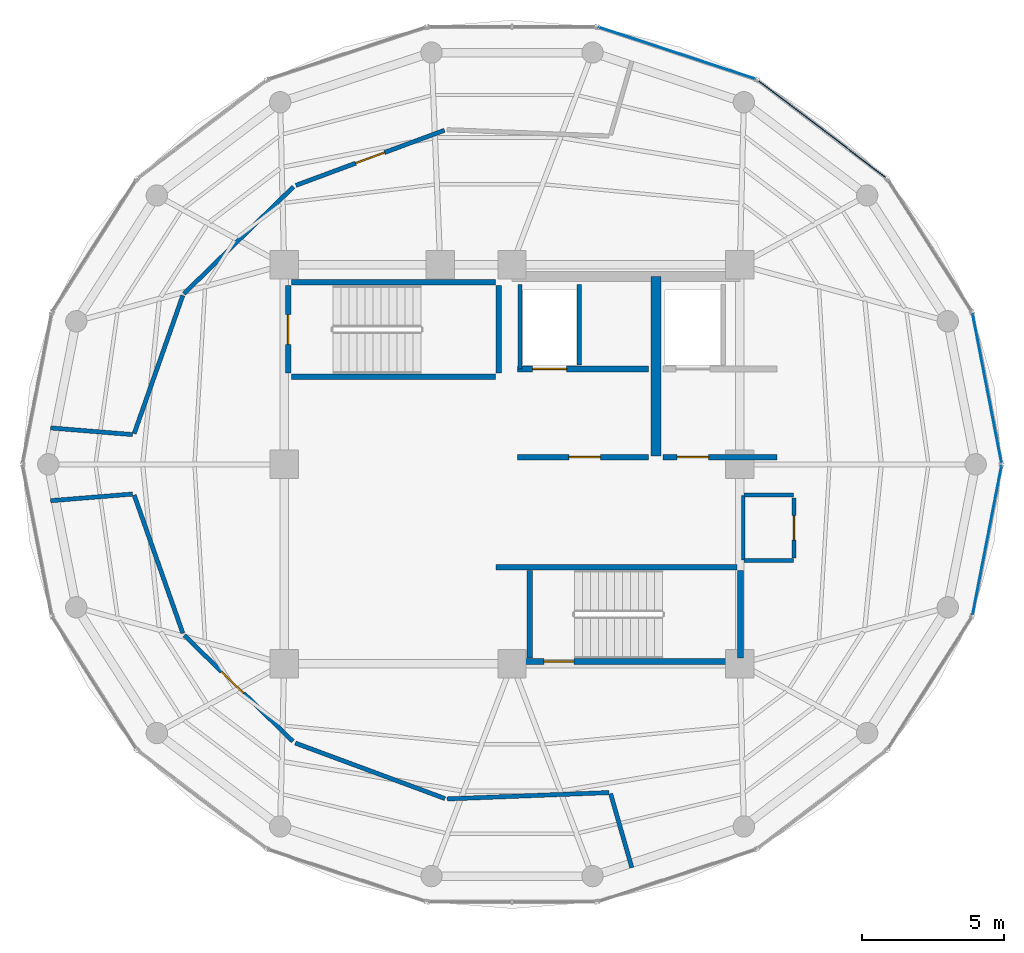
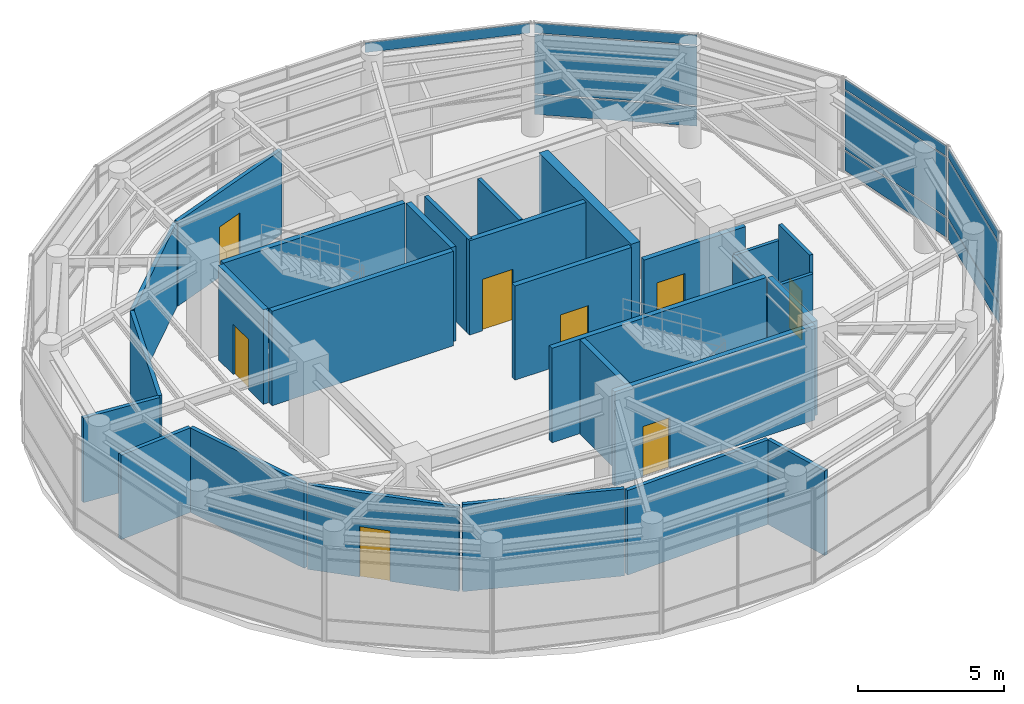
# One storey, part 17 of 19: 28 walls, 10 plates, 8 doors, 8 openings, 4 elements without a shape of their own.
"""IFC4 building model written with IfcOpenShell, lengths in metres."""

from ifc_helpers import new_model, si_unit, direction, frame, frame_2d, origin, origin_2d, place, context, subcontext, project, spatial, rectangle, extrude, source, transform, mapped, material, layer, layer_set, type_object, element, fill, aggregate, save


model = new_model("IFC4")

# Units and contexts
model_context = context("Model", 3, precision=1e-05, world=origin(), true_north=direction((0.0, 1.0)))
body_context = subcontext(model_context, "Body", "Model", "MODEL_VIEW")
ifc_project = project(units=[si_unit("LENGTHUNIT", "METRE"), si_unit("AREAUNIT", "SQUARE_METRE"), si_unit("VOLUMEUNIT", "CUBIC_METRE"), si_unit("PLANEANGLEUNIT", "RADIAN"), si_unit("MASSUNIT", "GRAM", prefix="KILO")], contexts=[model_context])

# Site, building, storey
site_placement = place(None, origin())
site = spatial("IfcSite", under=ifc_project, at=site_placement, CompositionType="ELEMENT")
building_placement = place(site_placement, origin())
building = spatial("IfcBuilding", under=site, at=building_placement, Name="Kelanora Arch Commons", CompositionType="ELEMENT")
storey_placement = place(building_placement, frame((0.0, 0.0, 302.699951171875)))
storey = spatial("IfcBuildingStorey", under=building, at=storey_placement, Name="L77", CompositionType="ELEMENT", Elevation=302.699951171875)

# Curtain wall, plate
ifc_material_1 = material(Name="Terracotta ceramic-fritted low-E glass and aluminium", Category="masonry")
ifc_layer_1 = layer(ifc_material_1, 0.14990234375)
ifc_layer_set_1 = layer_set([ifc_layer_1], Name="Terracotta ceramic-fritted low-E glass and aluminium")
curtain_wall_type = type_object("IfcCurtainWallType", Name="CW-SYS-06", PredefinedType="NOTDEFINED", material=ifc_layer_set_1)
curtain_wall_1_placement = place(storey_placement, origin())
curtain_wall_1 = element("IfcCurtainWall", 1, at=curtain_wall_1_placement, inside=storey, type_object=curtain_wall_type, Name="Unitised Curtain Wall L77-B00", PredefinedType="NOTDEFINED")
ifc_material_2 = material(Name="Terracotta ceramic-fritted double glazing", Category="masonry")
ifc_layer_2 = layer(ifc_material_2, 0.028076171875)
ifc_layer_set_2 = layer_set([ifc_layer_2], Name="Terracotta ceramic-fritted double glazing")
plate_type = type_object("IfcPlateType", Name="CWP-FRIT", PredefinedType="CURTAIN_PANEL", material=ifc_layer_set_2)
shared_shape_1 = source(origin(), body_context, "Body", "SweptSolid", [
    extrude(rectangle(XDim=5.285400390625, YDim=0.028076171875, at=origin_2d()), origin(), (0.0, 0.0, 1.0), 0.81005859375),
])
plate_1_placement = place(storey_placement, frame((90.681396484375, 60.667724609375, 0.06005859375), z_axis=(0.0, 0.0, 1.0), x_axis=(-0.190826579571, 0.981623765263, 0.0)))
plate_1 = element("IfcPlate", 2, at=plate_1_placement, type_object=plate_type, Name="CW-06 panel 1.1", PredefinedType="CURTAIN_PANEL", context=body_context, shape_type="MappedRepresentation", body=[
    mapped(shared_shape_1, transform((0.0, 0.0, 0.0), scale=1.0)),
])

curtain_wall_2_placement = place(storey_placement, origin())
curtain_wall_2 = element("IfcCurtainWall", 3, at=curtain_wall_2_placement, inside=storey, type_object=curtain_wall_type, Name="Unitised Curtain Wall L77-B17", PredefinedType="NOTDEFINED")
plate_2_placement = place(storey_placement, frame((90.681396484375, 55.332275390625, 0.06005859375), z_axis=(0.0, 0.0, 1.0), x_axis=(0.190826579571, 0.981623765263, 0.0)))
plate_2 = element("IfcPlate", 4, at=plate_2_placement, type_object=plate_type, Name="CW-06 panel 1.1", PredefinedType="CURTAIN_PANEL", context=body_context, shape_type="MappedRepresentation", body=[
    mapped(shared_shape_1, transform((0.0, 0.0, 0.0), scale=1.0)),
])

# Plate
shared_shape_2 = source(origin(), body_context, "Body", "SweptSolid", [
    extrude(rectangle(XDim=5.285400390625, YDim=0.028076171875, at=origin_2d()), origin(), (0.0, 0.0, 1.0), 2.465087890625),
])
plate_3_placement = place(storey_placement, frame((90.681396484375, 60.667724609375, 0.93017578125), z_axis=(0.0, 0.0, 1.0), x_axis=(-0.190826579571, 0.981623765263, 0.0)))
plate_3 = element("IfcPlate", 5, at=plate_3_placement, type_object=plate_type, Name="CW-06 panel 1.2", PredefinedType="CURTAIN_PANEL", context=body_context, shape_type="MappedRepresentation", body=[
    mapped(shared_shape_2, transform((0.0, 0.0, 0.0), scale=1.0)),
])

plate_4_placement = place(storey_placement, frame((90.681396484375, 55.332275390625, 0.93017578125), z_axis=(0.0, 0.0, 1.0), x_axis=(0.190826579571, 0.981623765263, 0.0)))
plate_4 = element("IfcPlate", 6, at=plate_4_placement, type_object=plate_type, Name="CW-06 panel 1.2", PredefinedType="CURTAIN_PANEL", context=body_context, shape_type="MappedRepresentation", body=[
    mapped(shared_shape_2, transform((0.0, 0.0, 0.0), scale=1.0)),
])

shared_shape_3 = source(origin(), body_context, "Body", "SweptSolid", [
    extrude(rectangle(XDim=5.285400390625, YDim=0.028076171875, at=origin_2d()), origin(), (0.0, 0.0, 1.0), 0.409912109375),
])
plate_5_placement = place(storey_placement, frame((90.681396484375, 60.667724609375, 3.455078125), z_axis=(0.0, 0.0, 1.0), x_axis=(-0.190826579571, 0.981623765263, 0.0)))
plate_5 = element("IfcPlate", 7, at=plate_5_placement, type_object=plate_type, Name="CW-06 panel 1.3", PredefinedType="CURTAIN_PANEL", context=body_context, shape_type="MappedRepresentation", body=[
    mapped(shared_shape_3, transform((0.0, 0.0, 0.0), scale=1.0)),
])

aggregate(curtain_wall_1, [plate_1, plate_3, plate_5])

plate_6_placement = place(storey_placement, frame((90.681396484375, 55.332275390625, 3.455078125), z_axis=(0.0, 0.0, 1.0), x_axis=(0.190826579571, 0.981623765263, 0.0)))
plate_6 = element("IfcPlate", 8, at=plate_6_placement, type_object=plate_type, Name="CW-06 panel 1.3", PredefinedType="CURTAIN_PANEL", context=body_context, shape_type="MappedRepresentation", body=[
    mapped(shared_shape_3, transform((0.0, 0.0, 0.0), scale=1.0)),
])

aggregate(curtain_wall_2, [plate_2, plate_4, plate_6])

# Curtain wall, plate
curtain_wall_3_placement = place(storey_placement, origin())
curtain_wall_3 = element("IfcCurtainWall", 9, at=curtain_wall_3_placement, inside=storey, type_object=curtain_wall_type, Name="Unitised Curtain Wall L77-B03", PredefinedType="NOTDEFINED")
shared_shape_4 = source(origin(), body_context, "Body", "SweptSolid", [
    extrude(rectangle(XDim=5.76123046875, YDim=0.028076171875, at=origin_2d()), origin(), (0.0, 0.0, 1.0), 0.409912109375),
])
plate_7_placement = place(storey_placement, frame((79.79345703125, 72.4365234375, 3.455078125), z_axis=(0.0, 0.0, 1.0), x_axis=(-0.949599145368, 0.313466845323, 0.0)))
plate_7 = element("IfcPlate", 10, at=plate_7_placement, type_object=plate_type, Name="CW-06 panel 1.3", PredefinedType="CURTAIN_PANEL", context=body_context, shape_type="MappedRepresentation", body=[
    mapped(shared_shape_4, transform((0.0, 0.0, 0.0), scale=1.0)),
])
aggregate(curtain_wall_3, [plate_7])

# Curtain wall, plates
curtain_wall_4_placement = place(storey_placement, origin())
curtain_wall_4 = element("IfcCurtainWall", 11, at=curtain_wall_4_placement, inside=storey, type_object=curtain_wall_type, Name="Unitised Curtain Wall L77-B02", PredefinedType="NOTDEFINED")
shared_shape_5 = source(origin(), body_context, "Body", "SweptSolid", [
    extrude(rectangle(XDim=5.6005859375, YDim=0.028076171875, at=origin_2d()), origin(), (0.0, 0.0, 1.0), 0.81005859375),
])
plate_8_placement = place(storey_placement, frame((84.887939453125, 69.768798828125, 0.06005859375), z_axis=(0.0, 0.0, 1.0), x_axis=(-0.795772286688, 0.605595960801, 0.0)))
plate_8 = element("IfcPlate", 12, at=plate_8_placement, type_object=plate_type, Name="CW-06 panel 1.1", PredefinedType="CURTAIN_PANEL", context=body_context, shape_type="MappedRepresentation", body=[
    mapped(shared_shape_5, transform((0.0, 0.0, 0.0), scale=1.0)),
])
shared_shape_6 = source(origin(), body_context, "Body", "SweptSolid", [
    extrude(rectangle(XDim=5.6005859375, YDim=0.028076171875, at=origin_2d()), origin(), (0.0, 0.0, 1.0), 2.465087890625),
])
plate_9_placement = place(storey_placement, frame((84.887939453125, 69.768798828125, 0.93017578125), z_axis=(0.0, 0.0, 1.0), x_axis=(-0.795772286688, 0.605595960801, 0.0)))
plate_9 = element("IfcPlate", 13, at=plate_9_placement, type_object=plate_type, Name="CW-06 panel 1.2", PredefinedType="CURTAIN_PANEL", context=body_context, shape_type="MappedRepresentation", body=[
    mapped(shared_shape_6, transform((0.0, 0.0, 0.0), scale=1.0)),
])
shared_shape_7 = source(origin(), body_context, "Body", "SweptSolid", [
    extrude(rectangle(XDim=5.6005859375, YDim=0.028076171875, at=origin_2d()), origin(), (0.0, 0.0, 1.0), 0.409912109375),
])
plate_10_placement = place(storey_placement, frame((84.887939453125, 69.768798828125, 3.455078125), z_axis=(0.0, 0.0, 1.0), x_axis=(-0.795772286688, 0.605595960801, 0.0)))
plate_10 = element("IfcPlate", 14, at=plate_10_placement, type_object=plate_type, Name="CW-06 panel 1.3", PredefinedType="CURTAIN_PANEL", context=body_context, shape_type="MappedRepresentation", body=[
    mapped(shared_shape_7, transform((0.0, 0.0, 0.0), scale=1.0)),
])
aggregate(curtain_wall_4, [plate_8, plate_9, plate_10])

# Walls
ifc_material_3 = material(Name="Autoclaved aerated concrete blockwork with fire plaster", Category="masonry")
ifc_layer_3 = layer(ifc_material_3, 0.14990234375)
ifc_layer_set_3 = layer_set([ifc_layer_3], Name="Autoclaved aerated concrete blockwork with fire plaster")
wall_type_1 = type_object("IfcWallType", Name="W-COMP-150", PredefinedType="PARTITIONING", material=ifc_layer_set_3)
wall_1_placement = place(storey_placement, frame((74.280029296875, 61.35009765625, 0.0), z_axis=(0.0, 0.0, 1.0), x_axis=(0.0, 1.0, 0.0)))
element("IfcWall", 15, at=wall_1_placement, inside=storey, type_object=wall_type_1, Name="Firefighting Lift 1 West Shaft Wall L77", PredefinedType="PARTITIONING", context=body_context, shape_type="SweptSolid", body=[
    extrude(rectangle(XDim=2.969970703125, YDim=0.14990234375, at=frame_2d((1.48486328125, 0.0))), origin(), (0.0, 0.0, 1.0), 3.929931640625),
])
wall_2_placement = place(storey_placement, frame((76.360107421875, 61.47998046875, 0.0), z_axis=(0.0, 0.0, 1.0), x_axis=(0.0, 1.0, 0.0)))
element("IfcWall", 16, at=wall_2_placement, inside=storey, type_object=wall_type_1, Name="Firefighting Lift 1 East Shaft Wall L77", PredefinedType="PARTITIONING", context=body_context, shape_type="SweptSolid", body=[
    extrude(rectangle(XDim=2.840087890625, YDim=0.14990234375, at=frame_2d((1.419921875, 0.0))), origin(), (0.0, 0.0, 1.0), 3.929931640625),
])

# Wall, opening, door
wall_3_placement = place(storey_placement, frame((71.628662109375, 69.72802734375, 0.0), z_axis=(0.0, 0.0, 1.0), x_axis=(-0.937610047719, -0.34768865155, 0.0)))
wall_3 = element("IfcWall", 17, at=wall_3_placement, inside=storey, type_object=wall_type_1, Name="Crown Chiller and Cooling Tower Plant Room L77 Entry Partition", PredefinedType="PARTITIONING", context=body_context, shape_type="SweptSolid", body=[
    extrude(rectangle(XDim=5.5654296875, YDim=0.14990234375, at=frame_2d((2.78271484375, 0.0))), origin(), (0.0, 0.0, 1.0), 3.525146484375),
])
opening_1_placement = place(wall_3_placement, frame((2.242919921875, 0.0, 0.0)))
opening_1 = element("IfcOpeningElement", 18, at=opening_1_placement, cuts=wall_3, Name="Opening D-PLT1", PredefinedType="OPENING", context=body_context, shape_type="SweptSolid", body=[
    extrude(rectangle(XDim=1.080078125, YDim=2.10009765625, at=frame_2d((0.5400390625, 1.050048828125))), frame((0.0, 0.0849609375, 0.0), z_axis=(0.0, -1.0, 0.0), x_axis=(1.0, 0.0, 0.0)), (0.0, 0.0, 1.0), 0.169921875),
])
ifc_material_4 = material(Name="Galvanised steel plant and riser fire door", Category="steel")
door_type_1 = type_object("IfcDoorType", Name="D-PLT-110", OperationType="NOTDEFINED", PredefinedType="DOOR", material=ifc_material_4)
door_1_placement = place(opening_1_placement, origin())
door_1 = element("IfcDoor", 19, at=door_1_placement, inside=storey, type_object=door_type_1, Name="Crown Chiller and Cooling Tower Plant Room L77 Door", OperationType="SINGLE_SWING_LEFT", OverallHeight=2.10009765625, OverallWidth=1.080078125, PredefinedType="DOOR", context=body_context, shape_type="SweptSolid", body=[
    extrude(rectangle(XDim=1.080078125, YDim=2.10009765625, at=frame_2d((0.5400390625, 1.050048828125))), frame((0.0, 0.02490234375, 0.0), z_axis=(0.0, -1.0, 0.0), x_axis=(1.0, 0.0, 0.0)), (0.0, 0.0, 1.0), 0.050048828125),
])
fill(opening_1, door_1)

wall_4_placement = place(storey_placement, frame((62.498779296875, 51.9931640625, 0.0), z_axis=(0.0, 0.0, 1.0), x_axis=(0.71541878573, -0.698695900249, 0.0)))
wall_4 = element("IfcWall", 20, at=wall_4_placement, inside=storey, type_object=wall_type_1, Name="Broadcast Transmitter and Machine Plant Room L77 Entry Partition", PredefinedType="PARTITIONING", context=body_context, shape_type="SweptSolid", body=[
    extrude(rectangle(XDim=5.32861328125, YDim=0.14990234375, at=frame_2d((2.664306640625, 0.0))), origin(), (0.0, 0.0, 1.0), 3.525146484375),
])
opening_2_placement = place(wall_4_placement, frame((1.823974609375, 0.0, 0.0)))
opening_2 = element("IfcOpeningElement", 21, at=opening_2_placement, cuts=wall_4, Name="Opening D-PLT1", PredefinedType="OPENING", context=body_context, shape_type="SweptSolid", body=[
    extrude(rectangle(XDim=1.080078125, YDim=2.10009765625, at=frame_2d((0.5400390625, 1.050048828125))), frame((0.0, 0.0849609375, 0.0), z_axis=(0.0, -1.0, 0.0), x_axis=(1.0, 0.0, 0.0)), (0.0, 0.0, 1.0), 0.169921875),
])
door_2_placement = place(opening_2_placement, origin())
door_2 = element("IfcDoor", 22, at=door_2_placement, inside=storey, type_object=door_type_1, Name="Broadcast Transmitter and Machine Plant Room L77 Door", OperationType="SINGLE_SWING_RIGHT", OverallHeight=2.10009765625, OverallWidth=1.080078125, PredefinedType="DOOR", context=body_context, shape_type="SweptSolid", body=[
    extrude(rectangle(XDim=1.080078125, YDim=2.10009765625, at=frame_2d((0.5400390625, 1.050048828125))), frame((0.0, 0.02490234375, 0.0), z_axis=(0.0, -1.0, 0.0), x_axis=(1.0, 0.0, 0.0)), (0.0, 0.0, 1.0), 0.050048828125),
])
fill(opening_2, door_2)

# Walls
wall_5_placement = place(storey_placement, frame((66.325439453125, 67.744140625, 0.0), z_axis=(0.0, 0.0, 1.0), x_axis=(-0.715402081333, -0.698713004047, 0.0)))
element("IfcWall", 23, at=wall_5_placement, inside=storey, type_object=wall_type_1, Name="Crown Chiller and Cooling Tower Plant Room L77 Enclosure Partition 3", PredefinedType="PARTITIONING", context=body_context, shape_type="SweptSolid", body=[
    extrude(rectangle(XDim=5.36865234375, YDim=0.14990234375, at=frame_2d((2.684326171875, 0.0))), origin(), (0.0, 0.0, 1.0), 3.525146484375),
])
wall_6_placement = place(storey_placement, frame((62.442626953125, 63.92724609375, 0.0), z_axis=(0.0, 0.0, 1.0), x_axis=(-0.332236382146, -0.943196154773, 0.0)))
element("IfcWall", 24, at=wall_6_placement, inside=storey, type_object=wall_type_1, Name="Crown Chiller and Cooling Tower Plant Room L77 Enclosure Partition 4", PredefinedType="PARTITIONING", context=body_context, shape_type="SweptSolid", body=[
    extrude(rectangle(XDim=5.1416015625, YDim=0.14990234375, at=frame_2d((2.57080078125, 0.0))), origin(), (0.0, 0.0, 1.0), 3.525146484375),
])
wall_7_placement = place(storey_placement, frame((60.68115234375, 59.043212890625, 0.0), z_axis=(0.0, 0.0, 1.0), x_axis=(-0.996696214814, 0.081219796696, 0.0)))
element("IfcWall", 25, at=wall_7_placement, inside=storey, type_object=wall_type_1, Name="Crown Chiller and Cooling Tower Plant Room L77 Enclosure Partition 5", PredefinedType="PARTITIONING", context=body_context, shape_type="SweptSolid", body=[
    extrude(rectangle(XDim=2.888671875, YDim=0.14990234375, at=frame_2d((1.4443359375, 0.0))), origin(), (0.0, 0.0, 1.0), 3.525146484375),
])
wall_8_placement = place(storey_placement, frame((60.734375, 56.92236328125, 0.0), z_axis=(0.0, 0.0, 1.0), x_axis=(0.332236382146, -0.943196154773, 0.0)))
element("IfcWall", 26, at=wall_8_placement, inside=storey, type_object=wall_type_1, Name="Broadcast Transmitter and Machine Plant Room L77 Enclosure Partition 1", PredefinedType="PARTITIONING", context=body_context, shape_type="SweptSolid", body=[
    extrude(rectangle(XDim=5.1416015625, YDim=0.14990234375, at=frame_2d((2.57080078125, 0.0))), origin(), (0.0, 0.0, 1.0), 3.525146484375),
])
wall_9_placement = place(storey_placement, frame((66.3916015625, 48.214111328125, 0.0), z_axis=(0.0, 0.0, 1.0), x_axis=(0.937597367655, -0.347722843894, 0.0)))
element("IfcWall", 27, at=wall_9_placement, inside=storey, type_object=wall_type_1, Name="Broadcast Transmitter and Machine Plant Room L77 Enclosure Partition 3", PredefinedType="PARTITIONING", context=body_context, shape_type="SweptSolid", body=[
    extrude(rectangle(XDim=5.605712890625, YDim=0.14990234375, at=frame_2d((2.802734375, 0.0))), origin(), (0.0, 0.0, 1.0), 3.625),
])
wall_10_placement = place(storey_placement, frame((71.72509765625, 46.252685546875, 0.0), z_axis=(0.0, 0.0, 1.0), x_axis=(0.999233860457, 0.03913683834, 0.0)))
element("IfcWall", 28, at=wall_10_placement, inside=storey, type_object=wall_type_1, Name="Broadcast Transmitter and Machine Plant Room L77 Enclosure Partition 4", PredefinedType="PARTITIONING", context=body_context, shape_type="SweptSolid", body=[
    extrude(rectangle(XDim=5.689208984375, YDim=0.14990234375, at=frame_2d((2.8447265625, 0.0))), origin(), (0.0, 0.0, 1.0), 3.525146484375),
])
wall_11_placement = place(storey_placement, frame((77.4609375, 46.438720703125, 0.0), z_axis=(0.0, 0.0, 1.0), x_axis=(0.276223004297, -0.961093570833, 0.0)))
element("IfcWall", 29, at=wall_11_placement, inside=storey, type_object=wall_type_1, Name="Broadcast Transmitter and Machine Plant Room L77 Enclosure Partition 5", PredefinedType="PARTITIONING", context=body_context, shape_type="SweptSolid", body=[
    extrude(rectangle(XDim=2.70458984375, YDim=0.14990234375, at=frame_2d((1.352294921875, 0.0))), origin(), (0.0, 0.0, 1.0), 3.525146484375),
])
wall_12_placement = place(storey_placement, frame((57.802001953125, 56.72216796875, 0.0), z_axis=(0.0, 0.0, 1.0), x_axis=(0.996696214814, 0.081219796696, 0.0)))
element("IfcWall", 30, at=wall_12_placement, inside=storey, type_object=wall_type_1, Name="Broadcast Transmitter and Machine Plant Room L77 Enclosure Partition 10", PredefinedType="PARTITIONING", context=body_context, shape_type="SweptSolid", body=[
    extrude(rectangle(XDim=2.888671875, YDim=0.14990234375, at=frame_2d((1.4443359375, 0.0))), origin(), (0.0, 0.0, 1.0), 3.525146484375),
])
ifc_material_5 = material(Name="Concrete C50/60", Category="concrete")
ifc_layer_4 = layer(ifc_material_5, 0.35009765625)
ifc_layer_set_4 = layer_set([ifc_layer_4], Name="Concrete C50/60")
wall_type_2 = type_object("IfcWallType", Name="W-CORE-350", PredefinedType="SHEAR", material=ifc_layer_set_4)
wall_13_placement = place(storey_placement, frame((79.050048828125, 58.300048828125, 0.0), z_axis=(0.0, 0.0, 1.0), x_axis=(0.0, 1.0, 0.0)))
element("IfcWall", 31, at=wall_13_placement, inside=storey, type_object=wall_type_2, Name="Core Shear Spine L77-CE-N", PredefinedType="SHEAR", context=body_context, shape_type="SweptSolid", body=[
    extrude(rectangle(XDim=6.300048828125, YDim=0.35009765625, at=frame_2d((3.14990234375, 0.0))), origin(), (0.0, 0.0, 1.0), 3.93994140625),
])

# Wall, opening, door
ifc_material_6 = material(Name="Concrete C40/50", Category="concrete")
ifc_layer_5 = layer(ifc_material_6, 0.199951171875)
ifc_layer_set_5 = layer_set([ifc_layer_5], Name="Concrete C40/50")
wall_type_3 = type_object("IfcWallType", Name="W-FFL-200", PredefinedType="SOLIDWALL", material=ifc_layer_set_5)
wall_14_placement = place(storey_placement, frame((74.199951171875, 61.35009765625, 0.0), z_axis=(0.0, 0.0, 1.0), x_axis=(1.0, 0.0, 0.0)))
wall_14 = element("IfcWall", 32, at=wall_14_placement, inside=storey, type_object=wall_type_3, Name="Firefighting Lift 1 Shaft Front L77", PredefinedType="SOLIDWALL", context=body_context, shape_type="SweptSolid", body=[
    extrude(rectangle(XDim=4.60009765625, YDim=0.199951171875, at=frame_2d((2.300048828125, 0.0))), origin(), (0.0, 0.0, 1.0), 3.929931640625),
])
opening_3_placement = place(wall_14_placement, frame((0.52001953125, 0.0, 0.0)))
opening_3 = element("IfcOpeningElement", 33, at=opening_3_placement, cuts=wall_14, Name="Opening LD-FF", PredefinedType="OPENING", context=body_context, shape_type="SweptSolid", body=[
    extrude(rectangle(XDim=1.199951171875, YDim=2.14990234375, at=frame_2d((0.60009765625, 1.074951171875))), frame((0.0, 0.10986328125, 0.0), z_axis=(0.0, -1.0, 0.0), x_axis=(1.0, 0.0, 0.0)), (0.0, 0.0, 1.0), 0.219970703125),
])
ifc_material_7 = material(Name="Fire-rated firefighters lift sliding landing door")
door_type_2 = type_object("IfcDoorType", Name="D-LIFT-FF", OperationType="NOTDEFINED", PredefinedType="DOOR", material=ifc_material_7)
door_3_placement = place(opening_3_placement, origin())
door_3 = element("IfcDoor", 34, at=door_3_placement, inside=storey, type_object=door_type_2, Name="Firefighting Lift LF-FF1 Landing Door L77", OperationType="DOUBLE_DOOR_SLIDING", OverallHeight=2.14990234375, OverallWidth=1.199951171875, PredefinedType="DOOR", context=body_context, shape_type="SweptSolid", body=[
    extrude(rectangle(XDim=1.199951171875, YDim=2.14990234375, at=frame_2d((0.60009765625, 1.074951171875))), frame((0.0, 0.02490234375, 0.0), z_axis=(0.0, -1.0, 0.0), x_axis=(1.0, 0.0, 0.0)), (0.0, 0.0, 1.0), 0.050048828125),
])
fill(opening_3, door_3)

wall_15_placement = place(storey_placement, frame((74.199951171875, 58.25, 0.0), z_axis=(0.0, 0.0, 1.0), x_axis=(1.0, 0.0, 0.0)))
wall_15 = element("IfcWall", 35, at=wall_15_placement, inside=storey, type_object=wall_type_3, Name="Firefighting Lobby 1 Enclosure Wall L77", PredefinedType="SOLIDWALL", context=body_context, shape_type="SweptSolid", body=[
    extrude(rectangle(XDim=4.60009765625, YDim=0.199951171875, at=frame_2d((2.300048828125, 0.0))), origin(), (0.0, 0.0, 1.0), 3.929931640625),
])
opening_4_placement = place(wall_15_placement, frame((1.800048828125, 0.0, 0.0)))
opening_4 = element("IfcOpeningElement", 36, at=opening_4_placement, cuts=wall_15, Name="Opening D-FFL1", PredefinedType="OPENING", context=body_context, shape_type="SweptSolid", body=[
    extrude(rectangle(XDim=1.10009765625, YDim=2.10009765625, at=frame_2d((0.550048828125, 1.050048828125))), frame((0.0, 0.10986328125, 0.0), z_axis=(0.0, -1.0, 0.0), x_axis=(1.0, 0.0, 0.0)), (0.0, 0.0, 1.0), 0.219970703125),
])
ifc_material_8 = material(Name="Smoke-sealed firefighting lobby fire door")
door_type_3 = type_object("IfcDoorType", Name="D-FFL-110", OperationType="NOTDEFINED", PredefinedType="DOOR", material=ifc_material_8)
door_4_placement = place(opening_4_placement, frame((1.10009765625, 0.0, 0.0), z_axis=(0.0, 0.0, 1.0), x_axis=(-1.0, 0.0, 0.0)))
door_4 = element("IfcDoor", 37, at=door_4_placement, inside=storey, type_object=door_type_3, Name="Firefighting Lobby 1 Door L77", OperationType="SINGLE_SWING_LEFT", OverallHeight=2.10009765625, OverallWidth=1.10009765625, PredefinedType="DOOR", context=body_context, shape_type="SweptSolid", body=[
    extrude(rectangle(XDim=1.10009765625, YDim=2.10009765625, at=frame_2d((0.550048828125, 1.050048828125))), frame((0.0, 0.02490234375, 0.0), z_axis=(0.0, -1.0, 0.0), x_axis=(1.0, 0.0, 0.0)), (0.0, 0.0, 1.0), 0.050048828125),
])
fill(opening_4, door_4)

wall_16_placement = place(storey_placement, frame((79.300048828125, 58.25, 0.0), z_axis=(0.0, 0.0, 1.0), x_axis=(1.0, 0.0, 0.0)))
wall_16 = element("IfcWall", 38, at=wall_16_placement, inside=storey, type_object=wall_type_3, Name="Firefighting Lobby 2 Enclosure Wall L77", PredefinedType="SOLIDWALL", context=body_context, shape_type="SweptSolid", body=[
    extrude(rectangle(XDim=4.0, YDim=0.199951171875, at=frame_2d((2.0, 0.0))), origin(), (0.0, 0.0, 1.0), 3.22509765625),
])
opening_5_placement = place(wall_16_placement, frame((0.5, 0.0, 0.0)))
opening_5 = element("IfcOpeningElement", 39, at=opening_5_placement, cuts=wall_16, Name="Opening D-FFL1", PredefinedType="OPENING", context=body_context, shape_type="SweptSolid", body=[
    extrude(rectangle(XDim=1.10009765625, YDim=2.10009765625, at=frame_2d((0.550048828125, 1.050048828125))), frame((0.0, 0.10986328125, 0.0), z_axis=(0.0, -1.0, 0.0), x_axis=(1.0, 0.0, 0.0)), (0.0, 0.0, 1.0), 0.219970703125),
])
door_5_placement = place(opening_5_placement, frame((1.10009765625, 0.0, 0.0), z_axis=(0.0, 0.0, 1.0), x_axis=(-1.0, 0.0, 0.0)))
door_5 = element("IfcDoor", 40, at=door_5_placement, inside=storey, type_object=door_type_3, Name="Firefighting Lobby 2 Door L77", OperationType="SINGLE_SWING_RIGHT", OverallHeight=2.10009765625, OverallWidth=1.10009765625, PredefinedType="DOOR", context=body_context, shape_type="SweptSolid", body=[
    extrude(rectangle(XDim=1.10009765625, YDim=2.10009765625, at=frame_2d((0.550048828125, 1.050048828125))), frame((0.0, 0.02490234375, 0.0), z_axis=(0.0, -1.0, 0.0), x_axis=(1.0, 0.0, 0.0)), (0.0, 0.0, 1.0), 0.050048828125),
])
fill(opening_5, door_5)

# Walls
ifc_layer_6 = layer(ifc_material_6, 0.199951171875)
ifc_layer_set_6 = layer_set([ifc_layer_6], Name="Concrete C40/50")
wall_type_4 = type_object("IfcWallType", Name="W-STAIR-200", PredefinedType="SHEAR", material=ifc_layer_set_6)
wall_17_placement = place(storey_placement, frame((66.260009765625, 61.080078125, 0.0), z_axis=(0.0, 0.0, 1.0), x_axis=(1.0, 0.0, 0.0)))
element("IfcWall", 41, at=wall_17_placement, inside=storey, type_object=wall_type_4, Name="Stair ST-T1 Shaft Wall S L77", PredefinedType="SHEAR", context=body_context, shape_type="SweptSolid", body=[
    extrude(rectangle(XDim=7.159912109375, YDim=0.199951171875, at=frame_2d((3.580078125, 0.0))), origin(), (0.0, 0.0, 1.0), 3.93994140625),
])
wall_18_placement = place(storey_placement, frame((73.5400390625, 61.199951171875, 0.0), z_axis=(0.0, 0.0, 1.0), x_axis=(0.0, 1.0, 0.0)))
element("IfcWall", 42, at=wall_18_placement, inside=storey, type_object=wall_type_4, Name="Stair ST-T1 Shaft Wall E L77", PredefinedType="SHEAR", context=body_context, shape_type="SweptSolid", body=[
    extrude(rectangle(XDim=3.070068359375, YDim=0.199951171875, at=frame_2d((1.53515625, 0.0))), origin(), (0.0, 0.0, 1.0), 3.93994140625),
])
wall_19_placement = place(storey_placement, frame((73.419921875, 64.389892578125, 0.0), z_axis=(0.0, 0.0, 1.0), x_axis=(-1.0, 0.0, 0.0)))
element("IfcWall", 43, at=wall_19_placement, inside=storey, type_object=wall_type_4, Name="Stair ST-T1 Shaft Wall N L77", PredefinedType="SHEAR", context=body_context, shape_type="SweptSolid", body=[
    extrude(rectangle(XDim=7.159912109375, YDim=0.199951171875, at=frame_2d((3.580078125, 0.0))), origin(), (0.0, 0.0, 1.0), 3.93994140625),
])

# Wall, opening, door
wall_20_placement = place(storey_placement, frame((66.139892578125, 64.27001953125, 0.0), z_axis=(0.0, 0.0, 1.0), x_axis=(0.0, -1.0, 0.0)))
wall_20 = element("IfcWall", 44, at=wall_20_placement, inside=storey, type_object=wall_type_4, Name="Stair ST-T1 Shaft Wall W L77", PredefinedType="SHEAR", context=body_context, shape_type="SweptSolid", body=[
    extrude(rectangle(XDim=3.070068359375, YDim=0.199951171875, at=frame_2d((1.53515625, 0.0))), origin(), (0.0, 0.0, 1.0), 3.93994140625),
])
opening_6_placement = place(wall_20_placement, frame((1.010009765625, 0.0, 0.0)))
opening_6 = element("IfcOpeningElement", 45, at=opening_6_placement, cuts=wall_20, Name="Opening D-ST1", PredefinedType="OPENING", context=body_context, shape_type="SweptSolid", body=[
    extrude(rectangle(XDim=1.050048828125, YDim=2.10009765625, at=frame_2d((0.52490234375, 1.050048828125))), frame((0.0, 0.10986328125, 0.0), z_axis=(0.0, -1.0, 0.0), x_axis=(1.0, 0.0, 0.0)), (0.0, 0.0, 1.0), 0.219970703125),
])
ifc_material_9 = material(Name="Steel fire-rated stairwell escape door", Category="steel")
door_type_4 = type_object("IfcDoorType", Name="D-STAIR-110", OperationType="NOTDEFINED", PredefinedType="DOOR", material=ifc_material_9)
door_6_placement = place(opening_6_placement, origin())
door_6 = element("IfcDoor", 46, at=door_6_placement, inside=storey, type_object=door_type_4, Name="Stair ST-T1 Escape Door L77", OperationType="SINGLE_SWING_LEFT", OverallHeight=2.10009765625, OverallWidth=1.050048828125, PredefinedType="DOOR", context=body_context, shape_type="SweptSolid", body=[
    extrude(rectangle(XDim=1.050048828125, YDim=2.10009765625, at=frame_2d((0.52490234375, 1.050048828125))), frame((0.0, 0.02490234375, 0.0), z_axis=(0.0, -1.0, 0.0), x_axis=(1.0, 0.0, 0.0)), (0.0, 0.0, 1.0), 0.050048828125),
])
fill(opening_6, door_6)

wall_21_placement = place(storey_placement, frame((74.0, 51.080078125, 0.0), z_axis=(0.0, 0.0, 1.0), x_axis=(1.0, 0.0, 0.0)))
wall_21 = element("IfcWall", 47, at=wall_21_placement, inside=storey, type_object=wall_type_4, Name="Stair ST-T2 Shaft Wall S L77", PredefinedType="SHEAR", context=body_context, shape_type="SweptSolid", body=[
    extrude(rectangle(XDim=7.89990234375, YDim=0.199951171875, at=frame_2d((3.949951171875, 0.0))), origin(), (0.0, 0.0, 1.0), 3.93994140625),
])
opening_7_placement = place(wall_21_placement, frame((1.1201171875, 0.0, 0.0)))
opening_7 = element("IfcOpeningElement", 48, at=opening_7_placement, cuts=wall_21, Name="Opening D-ST1", PredefinedType="OPENING", context=body_context, shape_type="SweptSolid", body=[
    extrude(rectangle(XDim=1.050048828125, YDim=2.10009765625, at=frame_2d((0.52490234375, 1.050048828125))), frame((0.0, 0.10986328125, 0.0), z_axis=(0.0, -1.0, 0.0), x_axis=(1.0, 0.0, 0.0)), (0.0, 0.0, 1.0), 0.219970703125),
])
door_7_placement = place(opening_7_placement, origin())
door_7 = element("IfcDoor", 49, at=door_7_placement, inside=storey, type_object=door_type_4, Name="Stair ST-T2 Escape Door L77", OperationType="SINGLE_SWING_LEFT", OverallHeight=2.10009765625, OverallWidth=1.050048828125, PredefinedType="DOOR", context=body_context, shape_type="SweptSolid", body=[
    extrude(rectangle(XDim=1.050048828125, YDim=2.10009765625, at=frame_2d((0.52490234375, 1.050048828125))), frame((0.0, 0.02490234375, 0.0), z_axis=(0.0, -1.0, 0.0), x_axis=(1.0, 0.0, 0.0)), (0.0, 0.0, 1.0), 0.050048828125),
])
fill(opening_7, door_7)

# Walls
wall_22_placement = place(storey_placement, frame((82.02001953125, 51.199951171875, 0.0), z_axis=(0.0, 0.0, 1.0), x_axis=(0.0, 1.0, 0.0)))
element("IfcWall", 50, at=wall_22_placement, inside=storey, type_object=wall_type_4, Name="Stair ST-T2 Shaft Wall E L77", PredefinedType="SHEAR", context=body_context, shape_type="SweptSolid", body=[
    extrude(rectangle(XDim=3.070068359375, YDim=0.199951171875, at=frame_2d((1.53515625, 0.0))), origin(), (0.0, 0.0, 1.0), 3.93994140625),
])
wall_23_placement = place(storey_placement, frame((81.89990234375, 54.389892578125, 0.0), z_axis=(0.0, 0.0, 1.0), x_axis=(-1.0, 0.0, 0.0)))
element("IfcWall", 51, at=wall_23_placement, inside=storey, type_object=wall_type_4, Name="Stair ST-T2 Shaft Wall N L77", PredefinedType="SHEAR", context=body_context, shape_type="SweptSolid", body=[
    extrude(rectangle(XDim=8.4599609375, YDim=0.199951171875, at=frame_2d((4.22998046875, 0.0))), origin(), (0.0, 0.0, 1.0), 3.93994140625),
])
wall_24_placement = place(storey_placement, frame((74.6201171875, 54.27001953125, 0.0), z_axis=(0.0, 0.0, 1.0), x_axis=(0.0, -1.0, 0.0)))
element("IfcWall", 52, at=wall_24_placement, inside=storey, type_object=wall_type_4, Name="Stair ST-T2 Shaft Wall W L77", PredefinedType="SHEAR", context=body_context, shape_type="SweptSolid", body=[
    extrude(rectangle(XDim=3.070068359375, YDim=0.199951171875, at=frame_2d((1.53515625, 0.0))), origin(), (0.0, 0.0, 1.0), 3.93994140625),
])

# Wall, opening, door
ifc_material_10 = material(Name="Moisture-resistant fire-rated cement-board plumbing wall")
ifc_layer_7 = layer(ifc_material_10, 0.1298828125)
ifc_layer_set_7 = layer_set([ifc_layer_7], Name="Moisture-resistant fire-rated cement-board plumbing wall")
wall_type_5 = type_object("IfcWallType", Name="W-WET-120", PredefinedType="PLUMBINGWALL", material=ifc_layer_set_7)
wall_25_placement = place(storey_placement, frame((83.89990234375, 54.7099609375, 0.0), z_axis=(0.0, 0.0, 1.0), x_axis=(0.0, 1.0, 0.0)))
wall_25 = element("IfcWall", 53, at=wall_25_placement, inside=storey, type_object=wall_type_5, Name="Crown Maintenance Staff WC L77 Entry Partition", PredefinedType="PLUMBINGWALL", context=body_context, shape_type="SweptSolid", body=[
    extrude(rectangle(XDim=2.110107421875, YDim=0.1298828125, at=frame_2d((1.05517578125, 0.0))), origin(), (0.0, 0.0, 1.0), 3.929931640625),
])
opening_8_placement = place(wall_25_placement, frame((0.625, 0.0, 0.0)))
opening_8 = element("IfcOpeningElement", 54, at=opening_8_placement, cuts=wall_25, Name="Opening D-BT1", PredefinedType="OPENING", context=body_context, shape_type="SweptSolid", body=[
    extrude(rectangle(XDim=0.860107421875, YDim=2.050048828125, at=frame_2d((0.43017578125, 1.02490234375))), frame((0.0, 0.074951171875, 0.0), z_axis=(0.0, -1.0, 0.0), x_axis=(1.0, 0.0, 0.0)), (0.0, 0.0, 1.0), 0.14990234375),
])
ifc_material_11 = material(Name="Moisture-sealed fire-rated accessible bathroom door")
door_type_5 = type_object("IfcDoorType", Name="D-BATH-85", OperationType="NOTDEFINED", PredefinedType="DOOR", material=ifc_material_11)
door_8_placement = place(opening_8_placement, origin())
door_8 = element("IfcDoor", 55, at=door_8_placement, inside=storey, type_object=door_type_5, Name="Crown Maintenance Staff WC L77 Door", OperationType="SINGLE_SWING_LEFT", OverallHeight=2.050048828125, OverallWidth=0.860107421875, PredefinedType="DOOR", context=body_context, shape_type="SweptSolid", body=[
    extrude(rectangle(XDim=0.860107421875, YDim=2.050048828125, at=frame_2d((0.43017578125, 1.02490234375))), frame((0.0, 0.02490234375, 0.0), z_axis=(0.0, -1.0, 0.0), x_axis=(1.0, 0.0, 0.0)), (0.0, 0.0, 1.0), 0.050048828125),
])
fill(opening_8, door_8)

# Walls
for number, where, z_axis, x_axis, name in (
    (56, (82.139892578125, 54.6201171875, 0.0), (0.0, 0.0, 1.0), (1.0, 0.0, 0.0), "Crown Maintenance Staff WC L77 Enclosure Partition 1"),
    (57, (83.8798828125, 56.919921875, 0.0), (0.0, 0.0, 1.0), (-1.0, 0.0, 0.0), "Crown Maintenance Staff WC L77 Enclosure Partition 3"),
):
    element("IfcWall", number, at=place(storey_placement, frame(where, z_axis=z_axis, x_axis=x_axis)), inside=storey, type_object=wall_type_5, Name=name, PredefinedType="PLUMBINGWALL", context=body_context, shape_type="SweptSolid", body=[
        extrude(rectangle(XDim=1.739990234375, YDim=0.1298828125, at=frame_2d((0.8701171875, 0.0))), origin(), (0.0, 0.0, 1.0), 3.22509765625),
    ])
wall_26_placement = place(storey_placement, frame((82.1201171875, 56.89990234375, 0.0), z_axis=(0.0, 0.0, 1.0), x_axis=(0.0, -1.0, 0.0)))
element("IfcWall", 58, at=wall_26_placement, inside=storey, type_object=wall_type_5, Name="Crown Maintenance Staff WC L77 Enclosure Partition 4", PredefinedType="PLUMBINGWALL", context=body_context, shape_type="SweptSolid", body=[
    extrude(rectangle(XDim=2.260009765625, YDim=0.1298828125, at=frame_2d((1.1298828125, 0.0))), origin(), (0.0, 0.0, 1.0), 3.22509765625),
])

save(model, "model.ifc")
